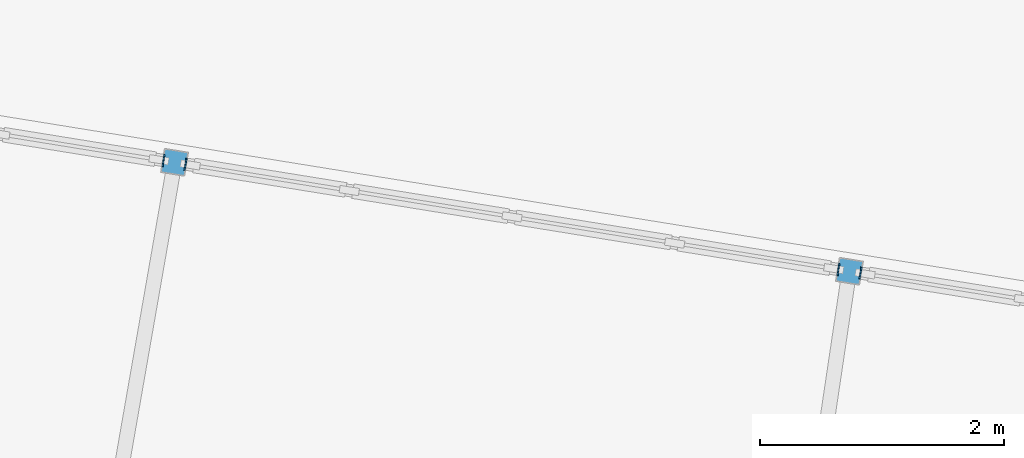
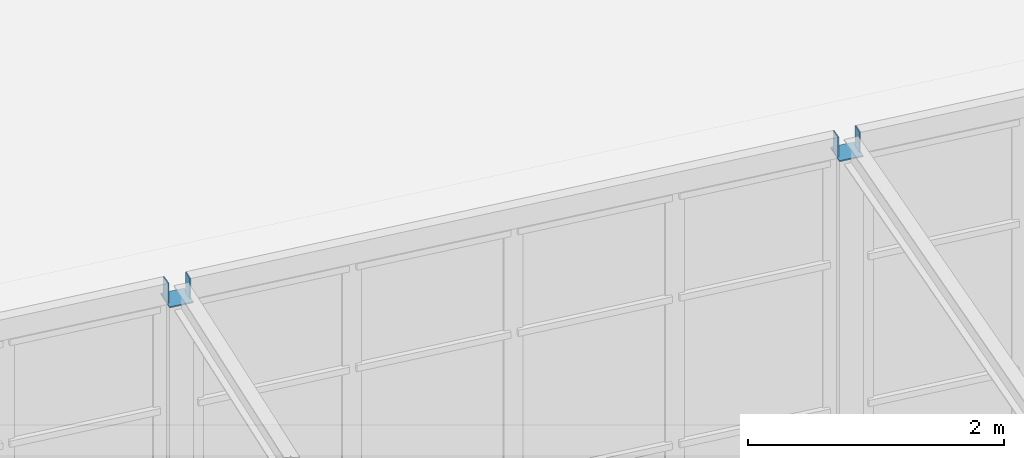
# One storey, part 202 of 226: 6 discrete accessories.
"""IFC4 building model written with IfcOpenShell, lengths in metres."""

from ifc_helpers import new_model, si_unit, direction, frame, origin, origin_2d, place, context, subcontext, project, spatial, rectangle, extrude, material, material_profile, profile_set, type_object, element, save


model = new_model("IFC4")

# Units and contexts
model_context = context("Model", 3, precision=1e-05, world=origin(), true_north=direction((0.0, 1.0)))
body_context = subcontext(model_context, "Body", "Model", "MODEL_VIEW")
ifc_project = project(units=[si_unit("LENGTHUNIT", "METRE"), si_unit("AREAUNIT", "SQUARE_METRE"), si_unit("VOLUMEUNIT", "CUBIC_METRE"), si_unit("PLANEANGLEUNIT", "RADIAN"), si_unit("MASSUNIT", "GRAM", prefix="KILO")], contexts=[model_context])

# Site, building, storey
site_placement = place(None, origin())
site = spatial("IfcSite", under=ifc_project, at=site_placement, CompositionType="ELEMENT")
building_placement = place(site_placement, origin())
building = spatial("IfcBuilding", under=site, at=building_placement, Name="Ceibo Conservatory and Research Tower", CompositionType="ELEMENT")
storey_placement = place(building_placement, origin())
storey = spatial("IfcBuildingStorey", under=building, at=storey_placement, Name="L00", CompositionType="ELEMENT", Elevation=0.0)

# Discrete accessories
ifc_material = material(Name="Steel S355J2", Category="steel")
ifc_material_profile_1 = material_profile(ifc_material, rectangle(XDim=0.10009765625, YDim=0.199951171875, at=origin_2d()), Name="End plate PL 200x100x8")
ifc_profile_set_1 = profile_set([ifc_material_profile_1], Name="Steel S355J2")
discrete_accessory_type_1 = type_object("IfcDiscreteAccessoryType", Name="End plate PL 200x100x8", PredefinedType="USERDEFINED", material=ifc_profile_set_1)
discrete_accessory_1_placement = place(storey_placement, frame((81.770263671875, 116.13525390625, 3.89990234375), z_axis=(-0.985030467156, 0.172380331752, 0.0), x_axis=(-0.172380331752, -0.985030467156, 0.0)))
element("IfcDiscreteAccessory", 1, at=discrete_accessory_1_placement, inside=storey, type_object=discrete_accessory_type_1, Name="Gallery edge beam A-RT-EBS07 end plate", ObjectType="End plate", PredefinedType="USERDEFINED", context=body_context, shape_type="SweptSolid", body=[
    extrude(rectangle(XDim=0.10009765625, YDim=0.199951171875, at=origin_2d()), origin(), (0.0, 0.0, 1.0), 0.010009765625),
])
discrete_accessory_2_placement = place(storey_placement, frame((81.588623046875, 116.164794921875, 3.89990234375), z_axis=(-0.988936352868, 0.14834045293, 0.0), x_axis=(-0.14834045293, -0.988936352868, 0.0)))
element("IfcDiscreteAccessory", 2, at=discrete_accessory_2_placement, inside=storey, type_object=discrete_accessory_type_1, Name="Gallery edge beam A-RT-EBS08 end plate", ObjectType="End plate", PredefinedType="USERDEFINED", context=body_context, shape_type="SweptSolid", body=[
    extrude(rectangle(XDim=0.10009765625, YDim=0.199951171875, at=origin_2d()), origin(), (0.0, 0.0, 1.0), 0.009765625),
])
discrete_accessory_3_placement = place(storey_placement, frame((76.2373046875, 117.028564453125, 3.89990234375), z_axis=(-0.985030467156, 0.172380331752, 0.0), x_axis=(-0.172380331752, -0.985030467156, 0.0)))
element("IfcDiscreteAccessory", 3, at=discrete_accessory_3_placement, inside=storey, type_object=discrete_accessory_type_1, Name="Gallery edge beam A-RT-EBS08 end plate", ObjectType="End plate", PredefinedType="USERDEFINED", context=body_context, shape_type="SweptSolid", body=[
    extrude(rectangle(XDim=0.10009765625, YDim=0.199951171875, at=origin_2d()), origin(), (0.0, 0.0, 1.0), 0.010009765625),
])
discrete_accessory_4_placement = place(storey_placement, frame((76.0556640625, 117.05810546875, 3.89990234375), z_axis=(-0.988936352868, 0.14834045293, 0.0), x_axis=(-0.14834045293, -0.988936352868, 0.0)))
element("IfcDiscreteAccessory", 4, at=discrete_accessory_4_placement, inside=storey, type_object=discrete_accessory_type_1, Name="Gallery edge beam A-RT-EBS09 end plate", ObjectType="End plate", PredefinedType="USERDEFINED", context=body_context, shape_type="SweptSolid", body=[
    extrude(rectangle(XDim=0.10009765625, YDim=0.199951171875, at=origin_2d()), origin(), (0.0, 0.0, 1.0), 0.009765625),
])
ifc_material_profile_2 = material_profile(ifc_material, rectangle(XDim=0.199951171875, YDim=0.199951171875, at=origin_2d()), Name="End plate PL 200x200x10")
ifc_profile_set_2 = profile_set([ifc_material_profile_2], Name="Steel S355J2")
discrete_accessory_type_2 = type_object("IfcDiscreteAccessoryType", Name="End plate PL 200x200x10", PredefinedType="USERDEFINED", material=ifc_profile_set_2)
for number, where, z_axis, x_axis, name in (
    (5, (81.674560546875, 116.15087890625, 3.798095703125), (0.0, 0.0, 1.0), (-0.987215515464, 0.159391110254, 0.0), "Gallery column A-RT-CS07 end plate"),
    (6, (76.1416015625, 117.044189453125, 3.798095703125), (0.0, 0.0, 1.0), (-0.987215515464, 0.159391110254, 0.0), "Gallery column A-RT-CS08 end plate"),
):
    element("IfcDiscreteAccessory", number, at=place(storey_placement, frame(where, z_axis=z_axis, x_axis=x_axis)), inside=storey, type_object=discrete_accessory_type_2, Name=name, ObjectType="End plate", PredefinedType="USERDEFINED", context=body_context, shape_type="SweptSolid", body=[
        extrude(rectangle(XDim=0.199951171875, YDim=0.199951171875, at=origin_2d()), origin(), (0.0, 0.0, 1.0), 0.011962890625),
    ])

save(model, "model.ifc")
